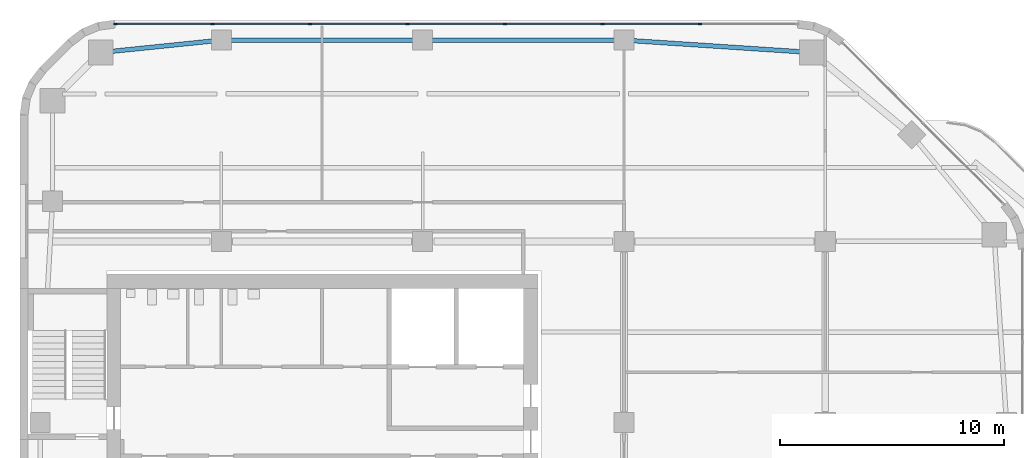
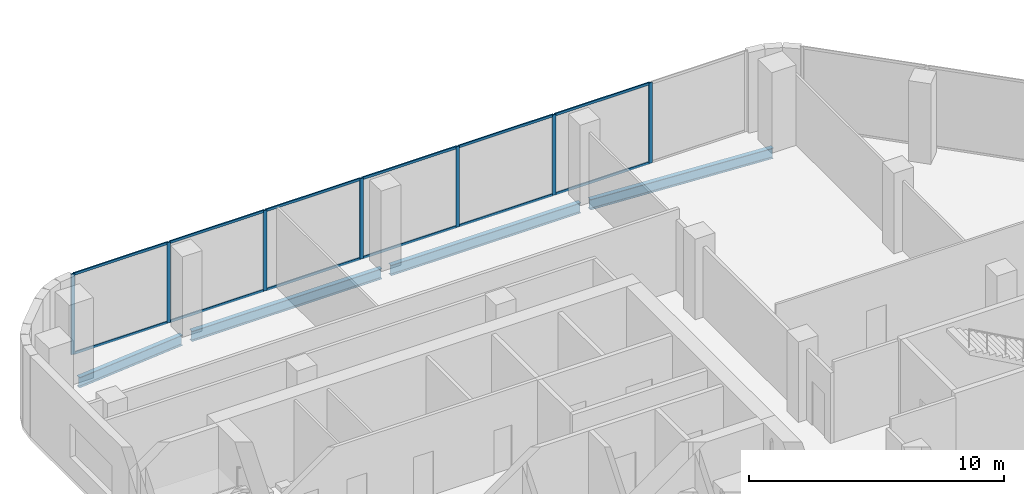
# One storey, part 21 of 29: 19 members, 4 beams, 1 element without a shape of its own.
"""IFC4 building model written with IfcOpenShell, lengths in metres."""

import ifcopenshell
import ifcopenshell.guid

model = None  # the IFC model being written
_history = None  # IfcOwnerHistory: only IFC2X3 demands one
_inside = {}  # id of a spatial element -> (the spatial element, [elements in it])
_under = {}  # id of a project, library or spatial element -> (it, [spatial elements below it])
_declared = {}  # id of a project -> (the project, [libraries it declares])
_typed = {}  # id of a type object -> (the type object, [elements of that type])
_made_of = {}  # id of a material, layer set ... -> (it, [elements and type objects made of it])


def new_model(schema):
    """Start an empty IFC model of exactly this schema.

    Asked for "IFC4X3", IfcOpenShell would pick the latest addendum, in which some entities
    have other attributes; the version numbers below select the first issue.
    IFC2X3 requires an IfcOwnerHistory on every rooted entity: one is made here for all.
    """
    global model, _history
    if schema == "IFC4X3":
        model = ifcopenshell.file(schema_version=(4, 3, 0, 0))
    else:
        model = ifcopenshell.file(schema=schema)
    _inside.clear()
    _under.clear()
    _declared.clear()
    _typed.clear()
    _made_of.clear()
    _history = None
    if model.schema == "IFC2X3":
        org = make("IfcOrganization", Name="unknown")
        user = make(
            "IfcPersonAndOrganization",
            ThePerson=make("IfcPerson", FamilyName="unknown"),
            TheOrganization=org,
        )
        app = make(
            "IfcApplication",
            ApplicationDeveloper=org,
            Version="unknown",
            ApplicationFullName="unknown",
            ApplicationIdentifier="unknown",
        )
        _history = make(
            "IfcOwnerHistory",
            OwningUser=user,
            OwningApplication=app,
            ChangeAction="ADDED",
            CreationDate=0,
        )
    return model


def make(cls, **values):
    """One entity of the class cls with the attributes given. An attribute that is None is left unset."""
    return model.create_entity(
        cls, **{name: value for name, value in values.items() if value is not None}
    )


def rooted(cls, **values):
    """An entity with a GlobalId (a new one), such as an element, a storey or a relation."""
    return make(cls, GlobalId=ifcopenshell.guid.new(), OwnerHistory=_history, **values)


def si_unit(unit_type, name, prefix=None):
    """IfcSIUnit, for example si_unit("LENGTHUNIT", "METRE", prefix="MILLI")."""
    return make("IfcSIUnit", UnitType=unit_type, Prefix=prefix, Name=name)


def assignment(units):
    """IfcUnitAssignment: the units of a project."""
    return None if units is None else make("IfcUnitAssignment", Units=units)


def point(xyz):
    """IfcCartesianPoint."""
    return None if xyz is None else make("IfcCartesianPoint", Coordinates=xyz)


def direction(xyz):
    """IfcDirection."""
    return None if xyz is None else make("IfcDirection", DirectionRatios=xyz)


def frame(location, z_axis=None, x_axis=None):
    """IfcAxis2Placement3D, a coordinate frame: its origin and axes. An axis left out is left unset."""
    return make(
        "IfcAxis2Placement3D",
        Location=point(location),
        Axis=direction(z_axis),
        RefDirection=direction(x_axis),
    )


def frame_2d(location, x_axis=None):
    """IfcAxis2Placement2D, a coordinate frame in the plane: its origin and x axis."""
    return make(
        "IfcAxis2Placement2D", Location=point(location), RefDirection=direction(x_axis)
    )


def origin():
    """The frame at (0, 0, 0) with its axes left unset."""
    return frame((0.0, 0.0, 0.0))


def origin_2d():
    """The frame at (0, 0) in the plane with its x axis left unset."""
    return frame_2d((0.0, 0.0))


def place(relative_to, where):
    """IfcLocalPlacement: puts the frame where relative to a parent placement (None: the world)."""
    return make(
        "IfcLocalPlacement", PlacementRelTo=relative_to, RelativePlacement=where
    )


def context(
    kind, dimensions, precision=None, world=None, true_north=None, identifier=None
):
    """IfcGeometricRepresentationContext, for example the 3D "Model" context."""
    return make(
        "IfcGeometricRepresentationContext",
        ContextIdentifier=identifier,
        ContextType=kind,
        CoordinateSpaceDimension=dimensions,
        Precision=precision,
        WorldCoordinateSystem=world,
        TrueNorth=true_north,
    )


def subcontext(parent, identifier, kind, view, scale=None):
    """IfcGeometricRepresentationSubContext, for example "Body" below "Model"."""
    return make(
        "IfcGeometricRepresentationSubContext",
        ContextIdentifier=identifier,
        ContextType=kind,
        ParentContext=parent,
        TargetScale=scale,
        TargetView=view,
    )


def project(units=None, contexts=None):
    """IfcProject with its units and contexts."""
    return rooted(
        "IfcProject",
        Name="project",
        RepresentationContexts=contexts,
        UnitsInContext=assignment(units),
    )


def spatial(cls, under=None, at=None, **own):
    """A site, building, storey or space (cls), placed at a placement, below another one or the project."""
    s = rooted(cls, ObjectPlacement=at, **own)
    if under is not None:
        _under.setdefault(under.id(), (under, []))[1].append(s)
    return s


def profile(cls, at=None, kind="AREA", **sizes):
    """A parametric profile (cls). Its sizes go by their IFC names, for example OverallWidth=200.0."""
    return make(cls, ProfileType=kind, Position=at, **sizes)


def rectangle(**sizes):
    """IfcRectangleProfileDef."""
    return profile("IfcRectangleProfileDef", **sizes)


def i_section(**sizes):
    """IfcIShapeProfileDef."""
    return profile("IfcIShapeProfileDef", **sizes)


def extrude(swept, where, along, depth):
    """IfcExtrudedAreaSolid: the profile swept, set in the frame where, extruded along a direction by depth."""
    return make(
        "IfcExtrudedAreaSolid",
        SweptArea=swept,
        Position=where,
        ExtrudedDirection=direction(along),
        Depth=depth,
    )


def shape(context_of_items, identifier, shape_type, items):
    """IfcShapeRepresentation: the items that make up one representation, for example the "Body"."""
    return make(
        "IfcShapeRepresentation",
        ContextOfItems=context_of_items,
        RepresentationIdentifier=identifier,
        RepresentationType=shape_type,
        Items=items,
    )


def material(Name=None, Category=None):
    """IfcMaterial."""
    return make("IfcMaterial", Name=Name, Category=Category)


def material_profile(
    of_material, cross_section, Name=None, Category=None, Priority=None
):
    """IfcMaterialProfile: a cross section and its material."""
    return make(
        "IfcMaterialProfile",
        Name=Name,
        Material=of_material,
        Profile=cross_section,
        Priority=Priority,
        Category=Category,
    )


def profile_set(profiles, Name=None, composite=None):
    """IfcMaterialProfileSet."""
    return make(
        "IfcMaterialProfileSet",
        Name=Name,
        MaterialProfiles=profiles,
        CompositeProfile=composite,
    )


def made_of(thing, what):
    """Note that an element or type object is made of a material, layer set ...; save() writes the relation."""
    if what is not None:
        _made_of.setdefault(what.id(), (what, []))[1].append(thing)
    return thing


def type_object(cls, material=None, **own):
    """A type object (cls), such as IfcWallType, which elements share."""
    return made_of(rooted(cls, **own), material)


def element(
    cls,
    number,
    at=None,
    inside=None,
    cuts=None,
    type_object=None,
    material=None,
    context=None,
    identifier="Body",
    shape_type=None,
    held_by="IfcProductDefinitionShape",
    body=None,
    shapes=None,
    **own,
):
    """One element of the class cls, such as IfcWall. Its Tag is "e" and its number.

    at: its placement. inside: the storey or other place that contains it. cuts: it is an
    opening in that element (IfcRelVoidsElement). A single representation is given by context,
    identifier, shape_type and body (its items); several are given by shapes. held_by: the class
    of the entity that holds the representations. save() writes the other relations.
    """
    e = rooted(cls, Tag="e%d" % number, ObjectPlacement=at, **own)
    if body is not None:
        shapes = [shape(context, identifier, shape_type, body)]
    if shapes is not None:
        e.Representation = make(held_by, Representations=shapes)
    if inside is not None:
        _inside.setdefault(inside.id(), (inside, []))[1].append(e)
    if cuts is not None:
        rooted(
            "IfcRelVoidsElement", RelatingBuildingElement=cuts, RelatedOpeningElement=e
        )
    if type_object is not None:
        _typed.setdefault(type_object.id(), (type_object, []))[1].append(e)
    return made_of(e, material)


def aggregate(whole, parts):
    """IfcRelAggregates: a whole, such as a stair, and the parts it consists of."""
    return rooted("IfcRelAggregates", RelatingObject=whole, RelatedObjects=parts)


def save(model, path):
    """Write the relations noted so far, then the file.

    IfcRelAggregates (storeys below a building ...), IfcRelContainedInSpatialStructure (elements
    in a storey), IfcRelDefinesByType, IfcRelAssociatesMaterial and IfcRelDeclares: one each for
    every whole, place, type object, material and project.
    """
    for whole, parts in _under.values():
        aggregate(whole, parts)
    for where, things in _inside.values():
        rooted(
            "IfcRelContainedInSpatialStructure",
            RelatedElements=things,
            RelatingStructure=where,
        )
    for kind, things in _typed.values():
        rooted("IfcRelDefinesByType", RelatedObjects=things, RelatingType=kind)
    for what, things in _made_of.values():
        rooted("IfcRelAssociatesMaterial", RelatedObjects=things, RelatingMaterial=what)
    for by, libraries in _declared.values():
        rooted("IfcRelDeclares", RelatingContext=by, RelatedDefinitions=libraries)
    model.write(path)


model = new_model("IFC4")

# Units and contexts
model_context = context("Model", 3, precision=1e-05, world=origin(), true_north=direction((0.0, 1.0)))
body_context = subcontext(model_context, "Body", "Model", "MODEL_VIEW")
ifc_project = project(units=[si_unit("LENGTHUNIT", "METRE"), si_unit("AREAUNIT", "SQUARE_METRE"), si_unit("VOLUMEUNIT", "CUBIC_METRE"), si_unit("PLANEANGLEUNIT", "RADIAN"), si_unit("MASSUNIT", "GRAM", prefix="KILO")], contexts=[model_context])

# Site, building, storey
site_placement = place(None, origin())
site = spatial("IfcSite", under=ifc_project, at=site_placement, CompositionType="ELEMENT")
building_placement = place(site_placement, origin())
building = spatial("IfcBuilding", under=site, at=building_placement, Name="Cinnabar Reach Civic Tower", CompositionType="ELEMENT")
storey_placement = place(building_placement, frame((0.0, 0.0, 149.0)))
storey = spatial("IfcBuildingStorey", under=building, at=storey_placement, Name="L35", CompositionType="ELEMENT", Elevation=149.0)

# Beams
ifc_material_1 = material(Name="Steel Q355B", Category="steel")
ifc_material_profile_1 = material_profile(ifc_material_1, i_section(OverallWidth=0.2, OverallDepth=0.5, WebThickness=0.01, FlangeThickness=0.016, FilletRadius=0.016, at=origin_2d()), Name="HN500x200x10x16")
ifc_profile_set_1 = profile_set([ifc_material_profile_1], Name="Steel Q355B")
beam_type = type_object("IfcBeamType", Name="HN500x200x10x16 beam R 180", PredefinedType="BEAM", material=ifc_profile_set_1)
beam_1_placement = place(storey_placement, frame((35.2008, 52.5599, -0.4), z_axis=(-0.997838043353, 0.06572091933, 0.0), x_axis=(-0.06572091933, -0.997838043353, 0.0)))
element("IfcBeam", 1, at=beam_1_placement, inside=storey, type_object=beam_type, Name="Edge beam T1 L35 11", PredefinedType="BEAM", context=body_context, shape_type="SweptSolid", body=[
    extrude(i_section(OverallWidth=0.2, OverallDepth=0.5, WebThickness=0.01, FlangeThickness=0.016, FilletRadius=0.016, at=origin_2d()), origin(), (0.0, 0.0, 1.0), 8.0005),
])
for number, where, z_axis, x_axis, name in (
    (2, (26.7982, 53.1, -0.4), (-1.0, 0.0, 0.0), (0.0, -1.0, 0.0), "Edge beam T1 L35 12"),
    (3, (17.7982, 53.1, -0.4), (-1.0, 0.0, 0.0), (0.0, -1.0, 0.0), "Edge beam T1 L35 13"),
):
    element("IfcBeam", number, at=place(storey_placement, frame(where, z_axis=z_axis, x_axis=x_axis)), inside=storey, type_object=beam_type, Name=name, PredefinedType="BEAM", context=body_context, shape_type="SweptSolid", body=[
        extrude(i_section(OverallWidth=0.2, OverallDepth=0.5, WebThickness=0.01, FlangeThickness=0.016, FilletRadius=0.016, at=origin_2d()), origin(), (0.0, 0.0, 1.0), 8.5964),
    ])
beam_2_placement = place(storey_placement, frame((8.7494, 53.0743, -0.4), z_axis=(-0.994792202154, -0.10192386636, 0.0), x_axis=(0.10192386636, -0.994792202154, 0.0)))
element("IfcBeam", 4, at=beam_2_placement, inside=storey, type_object=beam_type, Name="Edge beam T1 L35 14", PredefinedType="BEAM", context=body_context, shape_type="SweptSolid", body=[
    extrude(i_section(OverallWidth=0.2, OverallDepth=0.5, WebThickness=0.01, FlangeThickness=0.016, FilletRadius=0.016, at=origin_2d()), origin(), (0.0, 0.0, 1.0), 4.9782),
])

# Curtain wall, members
ifc_material_2 = material(Name="Aluminium and clear double glazing", Category="aluminium")
curtain_wall_type = type_object("IfcCurtainWallType", Name="Tower 1 sky lobby curtain wall", PredefinedType="NOTDEFINED", material=ifc_material_2)
curtain_wall_placement = place(storey_placement, origin())
curtain_wall = element("IfcCurtainWall", 5, at=curtain_wall_placement, inside=storey, type_object=curtain_wall_type, Name="Tower 1 sky lobby 8", PredefinedType="NOTDEFINED")
ifc_material_3 = material(Name="Aluminium", Category="aluminium")
ifc_material_profile_2 = material_profile(ifc_material_3, rectangle(XDim=0.06, YDim=0.16, at=origin_2d()), Name="Tower 1 sky lobby mullion")
ifc_profile_set_2 = profile_set([ifc_material_profile_2], Name="Aluminium")
member_type_1 = type_object("IfcMemberType", Name="Tower 1 sky lobby mullion", PredefinedType="MULLION", material=ifc_profile_set_2)
member_1_placement = place(storey_placement, frame((30.3981, 53.82, 0.0), z_axis=(0.0, 0.0, 1.0), x_axis=(0.0, -1.0, 0.0)))
member_1 = element("IfcMember", 6, at=member_1_placement, type_object=member_type_1, Name="CW-T1SKY-8 mullion 2", PredefinedType="MULLION", context=body_context, shape_type="SweptSolid", body=[
    extrude(rectangle(XDim=0.06, YDim=0.16, at=origin_2d()), origin(), (0.0, 0.0, 1.0), 3.85),
])
member_2_placement = place(storey_placement, frame((26.0389, 53.82, 0.0), z_axis=(0.0, 0.0, 1.0), x_axis=(0.0, -1.0, 0.0)))
member_2 = element("IfcMember", 7, at=member_2_placement, type_object=member_type_1, Name="CW-T1SKY-8 mullion 3", PredefinedType="MULLION", context=body_context, shape_type="SweptSolid", body=[
    extrude(rectangle(XDim=0.06, YDim=0.16, at=origin_2d()), origin(), (0.0, 0.0, 1.0), 3.85),
])
member_3_placement = place(storey_placement, frame((21.6796, 53.82, 0.0), z_axis=(0.0, 0.0, 1.0), x_axis=(0.0, -1.0, 0.0)))
member_3 = element("IfcMember", 8, at=member_3_placement, type_object=member_type_1, Name="CW-T1SKY-8 mullion 4", PredefinedType="MULLION", context=body_context, shape_type="SweptSolid", body=[
    extrude(rectangle(XDim=0.06, YDim=0.16, at=origin_2d()), origin(), (0.0, 0.0, 1.0), 3.85),
])
member_4_placement = place(storey_placement, frame((17.3204, 53.82, 0.0), z_axis=(0.0, 0.0, 1.0), x_axis=(0.0, -1.0, 0.0)))
member_4 = element("IfcMember", 9, at=member_4_placement, type_object=member_type_1, Name="CW-T1SKY-8 mullion 5", PredefinedType="MULLION", context=body_context, shape_type="SweptSolid", body=[
    extrude(rectangle(XDim=0.06, YDim=0.16, at=origin_2d()), origin(), (0.0, 0.0, 1.0), 3.85),
])
member_5_placement = place(storey_placement, frame((12.9611, 53.82, 0.0), z_axis=(0.0, 0.0, 1.0), x_axis=(0.0, -1.0, 0.0)))
member_5 = element("IfcMember", 10, at=member_5_placement, type_object=member_type_1, Name="CW-T1SKY-8 mullion 6", PredefinedType="MULLION", context=body_context, shape_type="SweptSolid", body=[
    extrude(rectangle(XDim=0.06, YDim=0.16, at=origin_2d()), origin(), (0.0, 0.0, 1.0), 3.85),
])
member_6_placement = place(storey_placement, frame((8.6019, 53.82, 0.0), z_axis=(0.0, 0.0, 1.0), x_axis=(0.0, -1.0, 0.0)))
member_6 = element("IfcMember", 11, at=member_6_placement, type_object=member_type_1, Name="CW-T1SKY-8 mullion 7", PredefinedType="MULLION", context=body_context, shape_type="SweptSolid", body=[
    extrude(rectangle(XDim=0.06, YDim=0.16, at=origin_2d()), origin(), (0.0, 0.0, 1.0), 3.85),
])
member_7_placement = place(storey_placement, frame((4.2726, 53.82, 0.0), z_axis=(0.0, 0.0, 1.0), x_axis=(0.0, -1.0, 0.0)))
member_7 = element("IfcMember", 12, at=member_7_placement, type_object=member_type_1, Name="CW-T1SKY-8 mullion 8", PredefinedType="MULLION", context=body_context, shape_type="SweptSolid", body=[
    extrude(rectangle(XDim=0.06, YDim=0.16, at=origin_2d()), origin(), (0.0, 0.0, 1.0), 3.85),
])
ifc_material_profile_3 = material_profile(ifc_material_3, rectangle(XDim=0.06, YDim=0.12, at=origin_2d()), Name="Tower 1 sky lobby transom")
ifc_profile_set_3 = profile_set([ifc_material_profile_3], Name="Aluminium")
member_type_2 = type_object("IfcMemberType", Name="Tower 1 sky lobby transom", PredefinedType="USERDEFINED", material=ifc_profile_set_3)
member_8_placement = place(storey_placement, frame((30.3681, 53.82, 0.03), z_axis=(-1.0, 0.0, 0.0), x_axis=(0.0, -1.0, 0.0)))
member_8 = element("IfcMember", 13, at=member_8_placement, type_object=member_type_2, Name="CW-T1SKY-8 transom 2.1", ObjectType="TRANSOM", PredefinedType="USERDEFINED", context=body_context, shape_type="SweptSolid", body=[
    extrude(rectangle(XDim=0.06, YDim=0.12, at=origin_2d()), origin(), (0.0, 0.0, 1.0), 4.2992),
])
member_9_placement = place(storey_placement, frame((30.3681, 53.82, 3.82), z_axis=(-1.0, 0.0, 0.0), x_axis=(0.0, -1.0, 0.0)))
member_9 = element("IfcMember", 14, at=member_9_placement, type_object=member_type_2, Name="CW-T1SKY-8 transom 2.2", ObjectType="TRANSOM", PredefinedType="USERDEFINED", context=body_context, shape_type="SweptSolid", body=[
    extrude(rectangle(XDim=0.06, YDim=0.12, at=origin_2d()), origin(), (0.0, 0.0, 1.0), 4.2992),
])
member_10_placement = place(storey_placement, frame((26.0089, 53.82, 0.03), z_axis=(-1.0, 0.0, 0.0), x_axis=(0.0, -1.0, 0.0)))
member_10 = element("IfcMember", 15, at=member_10_placement, type_object=member_type_2, Name="CW-T1SKY-8 transom 3.1", ObjectType="TRANSOM", PredefinedType="USERDEFINED", context=body_context, shape_type="SweptSolid", body=[
    extrude(rectangle(XDim=0.06, YDim=0.12, at=origin_2d()), origin(), (0.0, 0.0, 1.0), 4.2993),
])
member_11_placement = place(storey_placement, frame((26.0089, 53.82, 3.82), z_axis=(-1.0, 0.0, 0.0), x_axis=(0.0, -1.0, 0.0)))
member_11 = element("IfcMember", 16, at=member_11_placement, type_object=member_type_2, Name="CW-T1SKY-8 transom 3.2", ObjectType="TRANSOM", PredefinedType="USERDEFINED", context=body_context, shape_type="SweptSolid", body=[
    extrude(rectangle(XDim=0.06, YDim=0.12, at=origin_2d()), origin(), (0.0, 0.0, 1.0), 4.2993),
])
member_12_placement = place(storey_placement, frame((21.6496, 53.82, 0.03), z_axis=(-1.0, 0.0, 0.0), x_axis=(0.0, -1.0, 0.0)))
member_12 = element("IfcMember", 17, at=member_12_placement, type_object=member_type_2, Name="CW-T1SKY-8 transom 4.1", ObjectType="TRANSOM", PredefinedType="USERDEFINED", context=body_context, shape_type="SweptSolid", body=[
    extrude(rectangle(XDim=0.06, YDim=0.12, at=origin_2d()), origin(), (0.0, 0.0, 1.0), 4.2992),
])
member_13_placement = place(storey_placement, frame((21.6496, 53.82, 3.82), z_axis=(-1.0, 0.0, 0.0), x_axis=(0.0, -1.0, 0.0)))
member_13 = element("IfcMember", 18, at=member_13_placement, type_object=member_type_2, Name="CW-T1SKY-8 transom 4.2", ObjectType="TRANSOM", PredefinedType="USERDEFINED", context=body_context, shape_type="SweptSolid", body=[
    extrude(rectangle(XDim=0.06, YDim=0.12, at=origin_2d()), origin(), (0.0, 0.0, 1.0), 4.2992),
])
member_14_placement = place(storey_placement, frame((17.2904, 53.82, 0.03), z_axis=(-1.0, 0.0, 0.0), x_axis=(0.0, -1.0, 0.0)))
member_14 = element("IfcMember", 19, at=member_14_placement, type_object=member_type_2, Name="CW-T1SKY-8 transom 5.1", ObjectType="TRANSOM", PredefinedType="USERDEFINED", context=body_context, shape_type="SweptSolid", body=[
    extrude(rectangle(XDim=0.06, YDim=0.12, at=origin_2d()), origin(), (0.0, 0.0, 1.0), 4.2993),
])
member_15_placement = place(storey_placement, frame((17.2904, 53.82, 3.82), z_axis=(-1.0, 0.0, 0.0), x_axis=(0.0, -1.0, 0.0)))
member_15 = element("IfcMember", 20, at=member_15_placement, type_object=member_type_2, Name="CW-T1SKY-8 transom 5.2", ObjectType="TRANSOM", PredefinedType="USERDEFINED", context=body_context, shape_type="SweptSolid", body=[
    extrude(rectangle(XDim=0.06, YDim=0.12, at=origin_2d()), origin(), (0.0, 0.0, 1.0), 4.2993),
])
member_16_placement = place(storey_placement, frame((12.9311, 53.82, 0.03), z_axis=(-1.0, 0.0, 0.0), x_axis=(0.0, -1.0, 0.0)))
member_16 = element("IfcMember", 21, at=member_16_placement, type_object=member_type_2, Name="CW-T1SKY-8 transom 6.1", ObjectType="TRANSOM", PredefinedType="USERDEFINED", context=body_context, shape_type="SweptSolid", body=[
    extrude(rectangle(XDim=0.06, YDim=0.12, at=origin_2d()), origin(), (0.0, 0.0, 1.0), 4.2992),
])
member_17_placement = place(storey_placement, frame((12.9311, 53.82, 3.82), z_axis=(-1.0, 0.0, 0.0), x_axis=(0.0, -1.0, 0.0)))
member_17 = element("IfcMember", 22, at=member_17_placement, type_object=member_type_2, Name="CW-T1SKY-8 transom 6.2", ObjectType="TRANSOM", PredefinedType="USERDEFINED", context=body_context, shape_type="SweptSolid", body=[
    extrude(rectangle(XDim=0.06, YDim=0.12, at=origin_2d()), origin(), (0.0, 0.0, 1.0), 4.2992),
])
member_18_placement = place(storey_placement, frame((8.5719, 53.82, 0.03), z_axis=(-1.0, 0.0, 0.0), x_axis=(0.0, -1.0, 0.0)))
member_18 = element("IfcMember", 23, at=member_18_placement, type_object=member_type_2, Name="CW-T1SKY-8 transom 7.1", ObjectType="TRANSOM", PredefinedType="USERDEFINED", context=body_context, shape_type="SweptSolid", body=[
    extrude(rectangle(XDim=0.06, YDim=0.12, at=origin_2d()), origin(), (0.0, 0.0, 1.0), 4.2693),
])
member_19_placement = place(storey_placement, frame((8.5719, 53.82, 3.82), z_axis=(-1.0, 0.0, 0.0), x_axis=(0.0, -1.0, 0.0)))
member_19 = element("IfcMember", 24, at=member_19_placement, type_object=member_type_2, Name="CW-T1SKY-8 transom 7.2", ObjectType="TRANSOM", PredefinedType="USERDEFINED", context=body_context, shape_type="SweptSolid", body=[
    extrude(rectangle(XDim=0.06, YDim=0.12, at=origin_2d()), origin(), (0.0, 0.0, 1.0), 4.2693),
])
aggregate(curtain_wall, [member_1, member_2, member_3, member_4, member_5, member_6, member_7, member_8, member_9, member_10, member_11, member_12, member_13, member_14, member_15, member_16, member_17, member_18, member_19])

save(model, "model.ifc")
